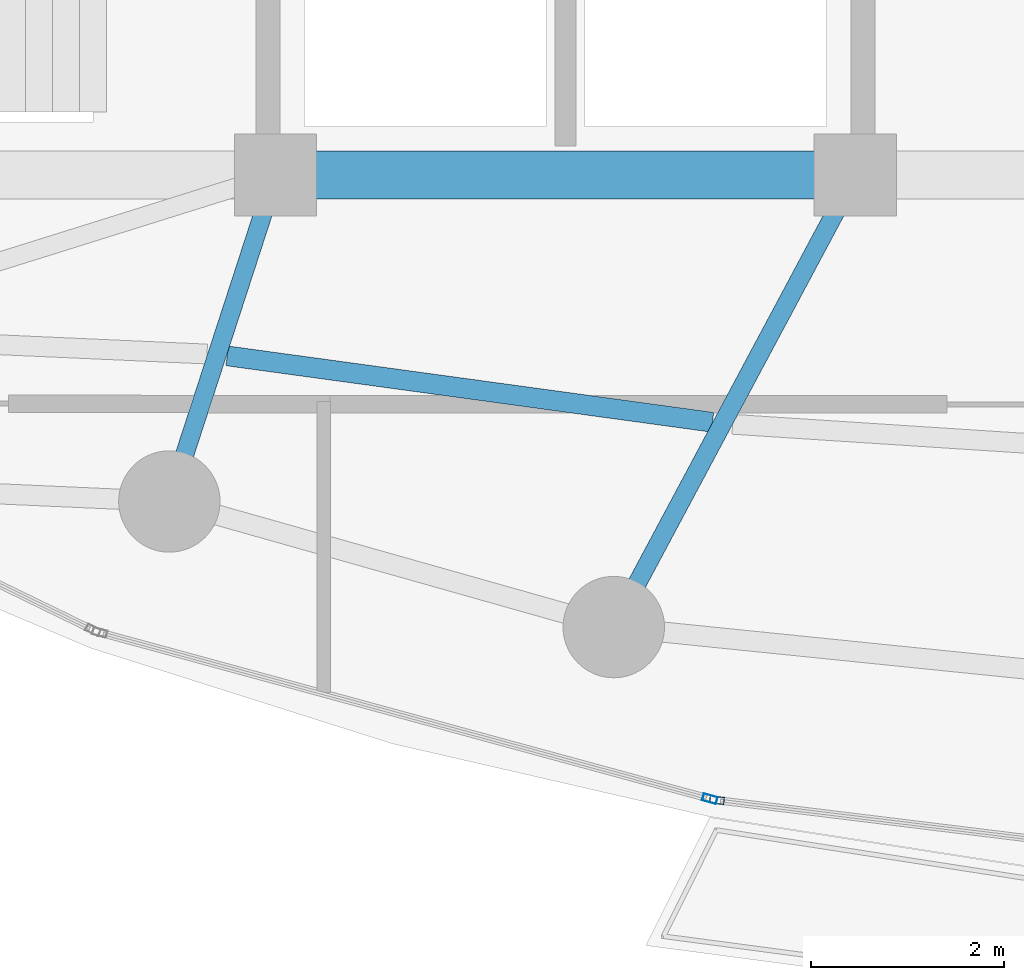
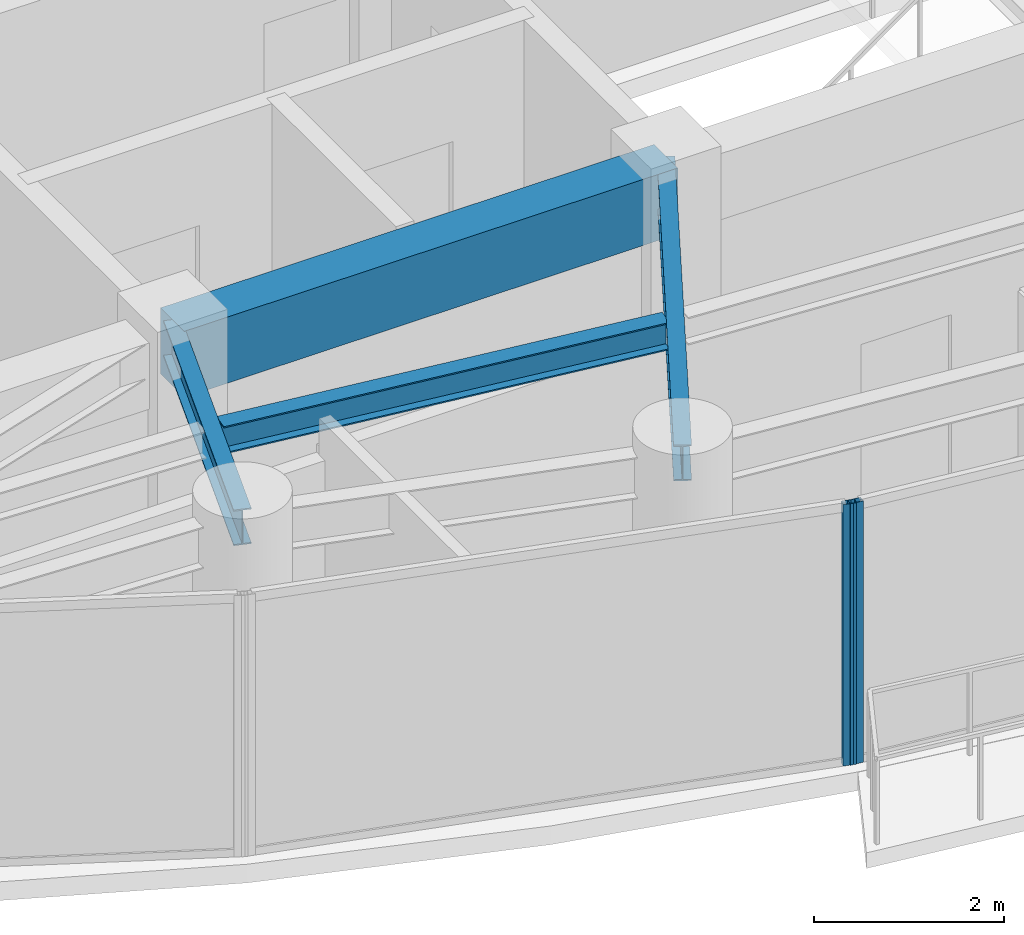
# One storey, part 5 of 31: 4 beams, 2 members, 2 elements without a shape of their own.
"""IFC4 building model written with IfcOpenShell, lengths in metres."""

import ifcopenshell
import ifcopenshell.guid

model = None  # the IFC model being written
_history = None  # IfcOwnerHistory: only IFC2X3 demands one
_inside = {}  # id of a spatial element -> (the spatial element, [elements in it])
_under = {}  # id of a project, library or spatial element -> (it, [spatial elements below it])
_declared = {}  # id of a project -> (the project, [libraries it declares])
_typed = {}  # id of a type object -> (the type object, [elements of that type])
_made_of = {}  # id of a material, layer set ... -> (it, [elements and type objects made of it])


def new_model(schema):
    """Start an empty IFC model of exactly this schema.

    Asked for "IFC4X3", IfcOpenShell would pick the latest addendum, in which some entities
    have other attributes; the version numbers below select the first issue.
    IFC2X3 requires an IfcOwnerHistory on every rooted entity: one is made here for all.
    """
    global model, _history
    if schema == "IFC4X3":
        model = ifcopenshell.file(schema_version=(4, 3, 0, 0))
    else:
        model = ifcopenshell.file(schema=schema)
    _inside.clear()
    _under.clear()
    _declared.clear()
    _typed.clear()
    _made_of.clear()
    _history = None
    if model.schema == "IFC2X3":
        org = make("IfcOrganization", Name="unknown")
        user = make(
            "IfcPersonAndOrganization",
            ThePerson=make("IfcPerson", FamilyName="unknown"),
            TheOrganization=org,
        )
        app = make(
            "IfcApplication",
            ApplicationDeveloper=org,
            Version="unknown",
            ApplicationFullName="unknown",
            ApplicationIdentifier="unknown",
        )
        _history = make(
            "IfcOwnerHistory",
            OwningUser=user,
            OwningApplication=app,
            ChangeAction="ADDED",
            CreationDate=0,
        )
    return model


def make(cls, **values):
    """One entity of the class cls with the attributes given. An attribute that is None is left unset."""
    return model.create_entity(
        cls, **{name: value for name, value in values.items() if value is not None}
    )


def rooted(cls, **values):
    """An entity with a GlobalId (a new one), such as an element, a storey or a relation."""
    return make(cls, GlobalId=ifcopenshell.guid.new(), OwnerHistory=_history, **values)


def si_unit(unit_type, name, prefix=None):
    """IfcSIUnit, for example si_unit("LENGTHUNIT", "METRE", prefix="MILLI")."""
    return make("IfcSIUnit", UnitType=unit_type, Prefix=prefix, Name=name)


def assignment(units):
    """IfcUnitAssignment: the units of a project."""
    return None if units is None else make("IfcUnitAssignment", Units=units)


def point(xyz):
    """IfcCartesianPoint."""
    return None if xyz is None else make("IfcCartesianPoint", Coordinates=xyz)


def direction(xyz):
    """IfcDirection."""
    return None if xyz is None else make("IfcDirection", DirectionRatios=xyz)


def frame(location, z_axis=None, x_axis=None):
    """IfcAxis2Placement3D, a coordinate frame: its origin and axes. An axis left out is left unset."""
    return make(
        "IfcAxis2Placement3D",
        Location=point(location),
        Axis=direction(z_axis),
        RefDirection=direction(x_axis),
    )


def frame_2d(location, x_axis=None):
    """IfcAxis2Placement2D, a coordinate frame in the plane: its origin and x axis."""
    return make(
        "IfcAxis2Placement2D", Location=point(location), RefDirection=direction(x_axis)
    )


def origin():
    """The frame at (0, 0, 0) with its axes left unset."""
    return frame((0.0, 0.0, 0.0))


def origin_2d():
    """The frame at (0, 0) in the plane with its x axis left unset."""
    return frame_2d((0.0, 0.0))


def place(relative_to, where):
    """IfcLocalPlacement: puts the frame where relative to a parent placement (None: the world)."""
    return make(
        "IfcLocalPlacement", PlacementRelTo=relative_to, RelativePlacement=where
    )


def context(
    kind, dimensions, precision=None, world=None, true_north=None, identifier=None
):
    """IfcGeometricRepresentationContext, for example the 3D "Model" context."""
    return make(
        "IfcGeometricRepresentationContext",
        ContextIdentifier=identifier,
        ContextType=kind,
        CoordinateSpaceDimension=dimensions,
        Precision=precision,
        WorldCoordinateSystem=world,
        TrueNorth=true_north,
    )


def subcontext(parent, identifier, kind, view, scale=None):
    """IfcGeometricRepresentationSubContext, for example "Body" below "Model"."""
    return make(
        "IfcGeometricRepresentationSubContext",
        ContextIdentifier=identifier,
        ContextType=kind,
        ParentContext=parent,
        TargetScale=scale,
        TargetView=view,
    )


def project(units=None, contexts=None):
    """IfcProject with its units and contexts."""
    return rooted(
        "IfcProject",
        Name="project",
        RepresentationContexts=contexts,
        UnitsInContext=assignment(units),
    )


def spatial(cls, under=None, at=None, **own):
    """A site, building, storey or space (cls), placed at a placement, below another one or the project."""
    s = rooted(cls, ObjectPlacement=at, **own)
    if under is not None:
        _under.setdefault(under.id(), (under, []))[1].append(s)
    return s


def profile(cls, at=None, kind="AREA", **sizes):
    """A parametric profile (cls). Its sizes go by their IFC names, for example OverallWidth=200.0."""
    return make(cls, ProfileType=kind, Position=at, **sizes)


def rectangle(**sizes):
    """IfcRectangleProfileDef."""
    return profile("IfcRectangleProfileDef", **sizes)


def hollow_rectangle(**sizes):
    """IfcRectangleHollowProfileDef."""
    return profile("IfcRectangleHollowProfileDef", **sizes)


def i_section(**sizes):
    """IfcIShapeProfileDef."""
    return profile("IfcIShapeProfileDef", **sizes)


def extrude(swept, where, along, depth):
    """IfcExtrudedAreaSolid: the profile swept, set in the frame where, extruded along a direction by depth."""
    return make(
        "IfcExtrudedAreaSolid",
        SweptArea=swept,
        Position=where,
        ExtrudedDirection=direction(along),
        Depth=depth,
    )


def shape(context_of_items, identifier, shape_type, items):
    """IfcShapeRepresentation: the items that make up one representation, for example the "Body"."""
    return make(
        "IfcShapeRepresentation",
        ContextOfItems=context_of_items,
        RepresentationIdentifier=identifier,
        RepresentationType=shape_type,
        Items=items,
    )


def material(Name=None, Category=None):
    """IfcMaterial."""
    return make("IfcMaterial", Name=Name, Category=Category)


def layer(
    of_material, thickness, ventilated=None, Name=None, Category=None, Priority=None
):
    """IfcMaterialLayer: one layer of a wall or slab, of a material (None: an air gap)."""
    return make(
        "IfcMaterialLayer",
        Material=of_material,
        LayerThickness=thickness,
        IsVentilated=ventilated,
        Name=Name,
        Category=Category,
        Priority=Priority,
    )


def layer_set(layers, Name=None):
    """IfcMaterialLayerSet."""
    return make("IfcMaterialLayerSet", MaterialLayers=layers, LayerSetName=Name)


def material_profile(
    of_material, cross_section, Name=None, Category=None, Priority=None
):
    """IfcMaterialProfile: a cross section and its material."""
    return make(
        "IfcMaterialProfile",
        Name=Name,
        Material=of_material,
        Profile=cross_section,
        Priority=Priority,
        Category=Category,
    )


def profile_set(profiles, Name=None, composite=None):
    """IfcMaterialProfileSet."""
    return make(
        "IfcMaterialProfileSet",
        Name=Name,
        MaterialProfiles=profiles,
        CompositeProfile=composite,
    )


def made_of(thing, what):
    """Note that an element or type object is made of a material, layer set ...; save() writes the relation."""
    if what is not None:
        _made_of.setdefault(what.id(), (what, []))[1].append(thing)
    return thing


def type_object(cls, material=None, **own):
    """A type object (cls), such as IfcWallType, which elements share."""
    return made_of(rooted(cls, **own), material)


def element(
    cls,
    number,
    at=None,
    inside=None,
    cuts=None,
    type_object=None,
    material=None,
    context=None,
    identifier="Body",
    shape_type=None,
    held_by="IfcProductDefinitionShape",
    body=None,
    shapes=None,
    **own,
):
    """One element of the class cls, such as IfcWall. Its Tag is "e" and its number.

    at: its placement. inside: the storey or other place that contains it. cuts: it is an
    opening in that element (IfcRelVoidsElement). A single representation is given by context,
    identifier, shape_type and body (its items); several are given by shapes. held_by: the class
    of the entity that holds the representations. save() writes the other relations.
    """
    e = rooted(cls, Tag="e%d" % number, ObjectPlacement=at, **own)
    if body is not None:
        shapes = [shape(context, identifier, shape_type, body)]
    if shapes is not None:
        e.Representation = make(held_by, Representations=shapes)
    if inside is not None:
        _inside.setdefault(inside.id(), (inside, []))[1].append(e)
    if cuts is not None:
        rooted(
            "IfcRelVoidsElement", RelatingBuildingElement=cuts, RelatedOpeningElement=e
        )
    if type_object is not None:
        _typed.setdefault(type_object.id(), (type_object, []))[1].append(e)
    return made_of(e, material)


def aggregate(whole, parts):
    """IfcRelAggregates: a whole, such as a stair, and the parts it consists of."""
    return rooted("IfcRelAggregates", RelatingObject=whole, RelatedObjects=parts)


def save(model, path):
    """Write the relations noted so far, then the file.

    IfcRelAggregates (storeys below a building ...), IfcRelContainedInSpatialStructure (elements
    in a storey), IfcRelDefinesByType, IfcRelAssociatesMaterial and IfcRelDeclares: one each for
    every whole, place, type object, material and project.
    """
    for whole, parts in _under.values():
        aggregate(whole, parts)
    for where, things in _inside.values():
        rooted(
            "IfcRelContainedInSpatialStructure",
            RelatedElements=things,
            RelatingStructure=where,
        )
    for kind, things in _typed.values():
        rooted("IfcRelDefinesByType", RelatedObjects=things, RelatingType=kind)
    for what, things in _made_of.values():
        rooted("IfcRelAssociatesMaterial", RelatedObjects=things, RelatingMaterial=what)
    for by, libraries in _declared.values():
        rooted("IfcRelDeclares", RelatingContext=by, RelatedDefinitions=libraries)
    model.write(path)


model = new_model("IFC4")

# Units and contexts
model_context = context("Model", 3, precision=1e-05, world=origin(), true_north=direction((0.0, 1.0)))
body_context = subcontext(model_context, "Body", "Model", "MODEL_VIEW")
ifc_project = project(units=[si_unit("LENGTHUNIT", "METRE"), si_unit("AREAUNIT", "SQUARE_METRE"), si_unit("VOLUMEUNIT", "CUBIC_METRE"), si_unit("PLANEANGLEUNIT", "RADIAN"), si_unit("MASSUNIT", "GRAM", prefix="KILO")], contexts=[model_context])

# Site, building, storey
site_placement = place(None, origin())
site = spatial("IfcSite", under=ifc_project, at=site_placement, CompositionType="ELEMENT")
building_placement = place(site_placement, origin())
building = spatial("IfcBuilding", under=site, at=building_placement, Name="Kazevale Care Tower and Concert Hall", CompositionType="ELEMENT")
storey_placement = place(building_placement, frame((0.0, 0.0, 238.800048828125)))
storey = spatial("IfcBuildingStorey", under=building, at=storey_placement, Name="L63", CompositionType="ELEMENT", Elevation=238.800048828125)

# Curtain wall, member
ifc_material_1 = material(Name="Aluminium 6063-T6 and Low-E Glass", Category="aluminium")
ifc_layer = layer(ifc_material_1, 0.179931640625)
ifc_layer_set = layer_set([ifc_layer], Name="Aluminium 6063-T6 and Low-E Glass")
curtain_wall_type = type_object("IfcCurtainWallType", Name="Sheltered Concave Balcony Curtain Wall CW-5", PredefinedType="NOTDEFINED", material=ifc_layer_set)
curtain_wall_1_placement = place(storey_placement, origin())
curtain_wall_1 = element("IfcCurtainWall", 1, at=curtain_wall_1_placement, inside=storey, type_object=curtain_wall_type, Name="cw:L63:f07", PredefinedType="NOTDEFINED")
ifc_material_2 = material(Name="Aluminium 6063-T6", Category="aluminium")
ifc_material_profile_1 = material_profile(ifc_material_2, hollow_rectangle(XDim=0.074951171875, YDim=0.14990234375, WallThickness=0.00390625, at=origin_2d()), Name="ALU75x150x4")
ifc_profile_set_1 = profile_set([ifc_material_profile_1], Name="Aluminium 6063-T6")
member_type = type_object("IfcMemberType", Name="CW-5 Mullion ALU75x150x4", PredefinedType="MULLION", material=ifc_profile_set_1)
member_1_placement = place(storey_placement, frame((34.568115234375, 17.12841796875, 0.0), z_axis=(0.0, 0.0, 1.0), x_axis=(-0.121650797964, -0.992572961225, 0.0)))
member_1 = element("IfcMember", 2, at=member_1_placement, type_object=member_type, Name="CW-5 mullion 2", PredefinedType="MULLION", context=body_context, shape_type="SweptSolid", body=[
    extrude(hollow_rectangle(XDim=0.074951171875, YDim=0.14990234375, WallThickness=0.00390625, at=origin_2d()), origin(), (0.0, 0.0, 1.0), 3.35986328125),
])
aggregate(curtain_wall_1, [member_1])

curtain_wall_2_placement = place(storey_placement, origin())
curtain_wall_2 = element("IfcCurtainWall", 3, at=curtain_wall_2_placement, inside=storey, type_object=curtain_wall_type, Name="cw:L63:f08", PredefinedType="NOTDEFINED")
member_2_placement = place(storey_placement, frame((34.494873046875, 17.142822265625, 0.0), z_axis=(0.0, 0.0, 1.0), x_axis=(-0.262848968947, -0.964836991167, 0.0)))
member_2 = element("IfcMember", 4, at=member_2_placement, type_object=member_type, Name="CW-5 mullion 1", PredefinedType="MULLION", context=body_context, shape_type="SweptSolid", body=[
    extrude(hollow_rectangle(XDim=0.074951171875, YDim=0.14990234375, WallThickness=0.00390625, at=origin_2d()), origin(), (0.0, 0.0, 1.0), 3.35986328125),
])
aggregate(curtain_wall_2, [member_2])

# Beams
ifc_material_3 = material(Name="Concrete C60", Category="concrete")
ifc_material_profile_2 = material_profile(ifc_material_3, rectangle(XDim=0.5, YDim=0.85009765625, at=origin_2d()), Name="RC-B500x850")
ifc_profile_set_2 = profile_set([ifc_material_profile_2], Name="Concrete C60")
beam_type_1 = type_object("IfcBeamType", Name="Core Coupling Beam RC500x850", PredefinedType="LINTEL", material=ifc_profile_set_2)
beam_1_placement = place(storey_placement, frame((30.0, 23.60009765625, 2.93505859375), z_axis=(1.0, 0.0, 0.0), x_axis=(0.0, 1.0, 0.0)))
element("IfcBeam", 5, at=beam_1_placement, inside=storey, type_object=beam_type_1, Name="beam:L63:coretie:2", PredefinedType="LINTEL", context=body_context, shape_type="SweptSolid", body=[
    extrude(rectangle(XDim=0.5, YDim=0.85009765625, at=origin_2d()), origin(), (0.0, 0.0, 1.0), 6.0),
])
ifc_material_4 = material(Name="Steel ASTM A572 Gr 50", Category="steel")
ifc_material_profile_3 = material_profile(ifc_material_4, i_section(OverallWidth=0.19091796875, OverallDepth=0.4599609375, WebThickness=0.010009765625, FlangeThickness=0.01611328125, at=origin_2d()), Name="W460x82")
ifc_profile_set_3 = profile_set([ifc_material_profile_3], Name="Steel ASTM A572 Gr 50")
beam_type_2 = type_object("IfcBeamType", Name="Radial Floor Beam W460x82", PredefinedType="BEAM", material=ifc_profile_set_3)
beam_2_placement = place(storey_placement, frame((30.0, 23.60009765625, 3.1298828125), z_axis=(-0.309482065101, -0.950905279921, 0.0), x_axis=(0.950905279921, -0.309482065101, 0.0)))
element("IfcBeam", 6, at=beam_2_placement, inside=storey, type_object=beam_type_2, Name="beam:L63:rad:11", PredefinedType="BEAM", context=body_context, shape_type="SweptSolid", body=[
    extrude(i_section(OverallWidth=0.19091796875, OverallDepth=0.4599609375, WebThickness=0.010009765625, FlangeThickness=0.01611328125, at=origin_2d()), origin(), (0.0, 0.0, 1.0), 3.5546875),
])
beam_3_placement = place(storey_placement, frame((36.0, 23.60009765625, 3.1298828125), z_axis=(-0.471161293943, -0.88204707079, 0.0), x_axis=(0.88204707079, -0.471161293943, 0.0)))
element("IfcBeam", 7, at=beam_3_placement, inside=storey, type_object=beam_type_2, Name="beam:L63:rad:12", PredefinedType="BEAM", context=body_context, shape_type="SweptSolid", body=[
    extrude(i_section(OverallWidth=0.19091796875, OverallDepth=0.4599609375, WebThickness=0.010009765625, FlangeThickness=0.01611328125, at=origin_2d()), origin(), (0.0, 0.0, 1.0), 5.30615234375),
])
ifc_material_profile_4 = material_profile(ifc_material_4, i_section(OverallWidth=0.205078125, OverallDepth=0.35400390625, WebThickness=0.009521484375, FlangeThickness=0.016845703125, at=origin_2d()), Name="W360x79")
ifc_profile_set_4 = profile_set([ifc_material_profile_4], Name="Steel ASTM A572 Gr 50")
beam_type_3 = type_object("IfcBeamType", Name="Secondary Floor Joist W360x79", PredefinedType="JOIST", material=ifc_profile_set_4)
beam_4_placement = place(storey_placement, frame((29.4990234375, 21.72705078125, 3.182861328125), z_axis=(0.990772043119, -0.13553877148, 0.0), x_axis=(0.13553877148, 0.990772043119, 0.0)))
element("IfcBeam", 8, at=beam_4_placement, inside=storey, type_object=beam_type_3, Name="beam:L63:joist:11", PredefinedType="JOIST", context=body_context, shape_type="SweptSolid", body=[
    extrude(i_section(OverallWidth=0.205078125, OverallDepth=0.35400390625, WebThickness=0.009521484375, FlangeThickness=0.016845703125, at=origin_2d()), origin(), (0.0, 0.0, 1.0), 5.06884765625),
])

save(model, "model.ifc")
